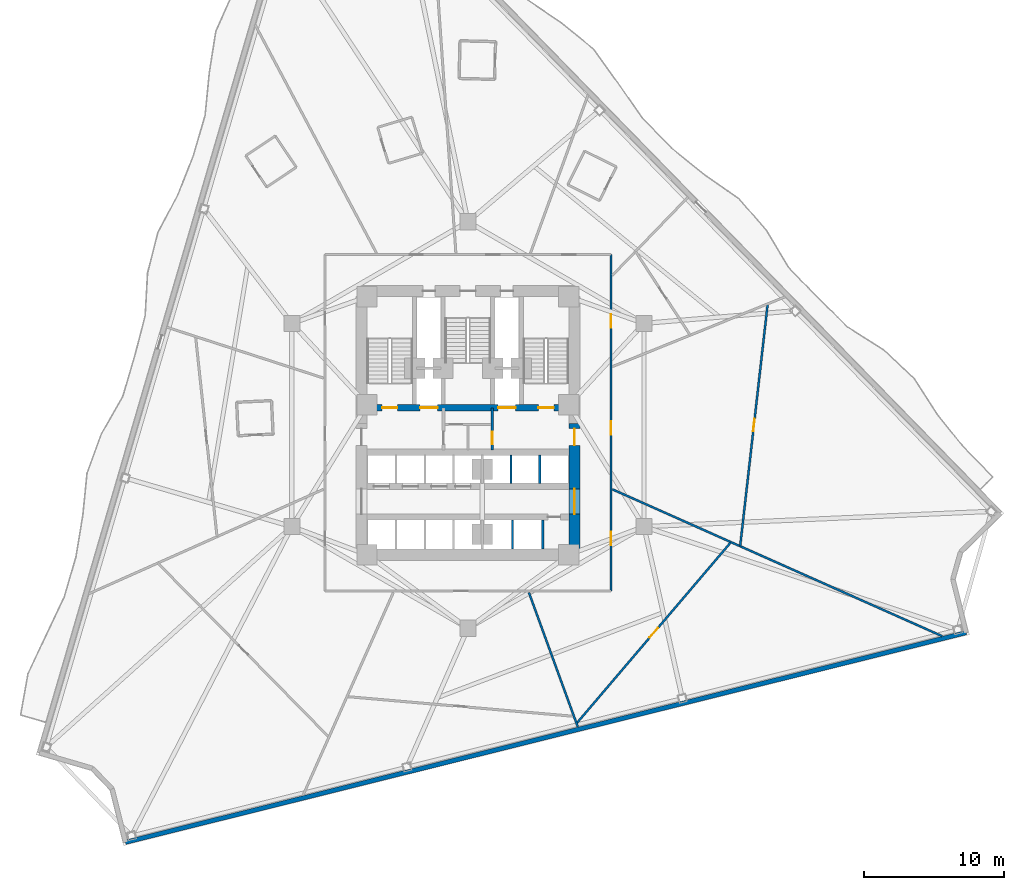
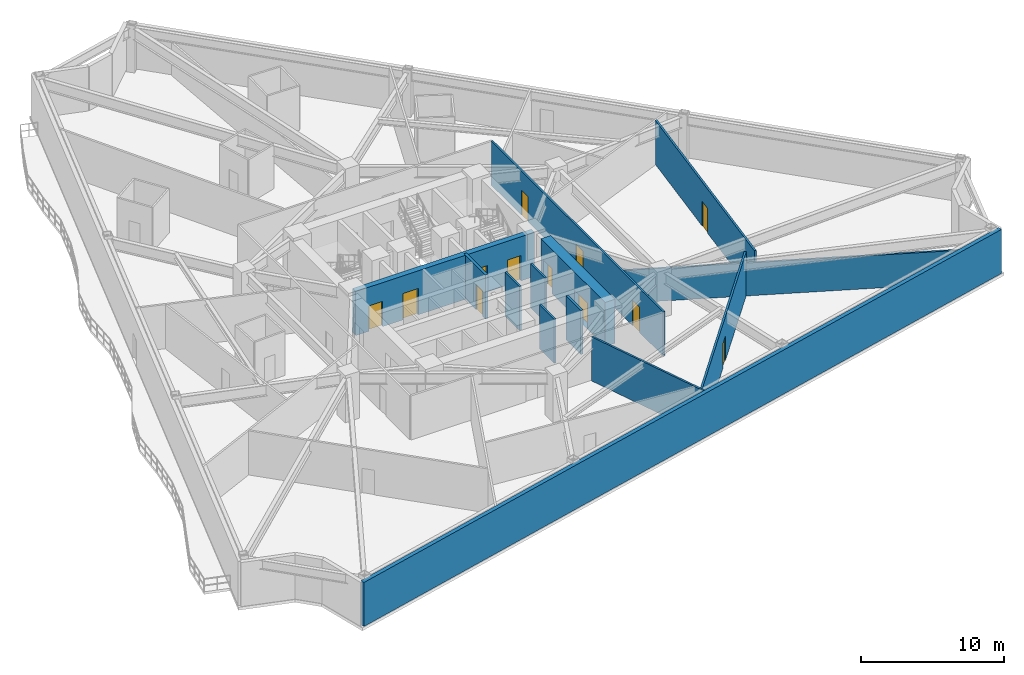
# One storey, part 4 of 9: 13 walls, 12 doors, 12 openings.
"""IFC4 building model written with IfcOpenShell, lengths in metres."""

from ifc_helpers import new_model, si_unit, direction, frame, frame_2d, origin, place, context, subcontext, project, spatial, rectangle, extrude, material, layer, layer_set, type_object, element, fill, save


model = new_model("IFC4")

# Units and contexts
model_context = context("Model", 3, precision=1e-05, world=origin(), true_north=direction((0.0, 1.0)))
body_context = subcontext(model_context, "Body", "Model", "MODEL_VIEW")
ifc_project = project(units=[si_unit("LENGTHUNIT", "METRE"), si_unit("AREAUNIT", "SQUARE_METRE"), si_unit("VOLUMEUNIT", "CUBIC_METRE"), si_unit("PLANEANGLEUNIT", "RADIAN"), si_unit("MASSUNIT", "GRAM", prefix="KILO")], contexts=[model_context])

# Site, building, storey
site_placement = place(None, origin())
site = spatial("IfcSite", under=ifc_project, at=site_placement, CompositionType="ELEMENT")
building_placement = place(site_placement, origin())
building = spatial("IfcBuilding", under=site, at=building_placement, Name="Apsidion Concourse Tower", CompositionType="ELEMENT")
storey_placement = place(building_placement, frame((0.0, 0.0, 103.0)))
storey = spatial("IfcBuildingStorey", under=building, at=storey_placement, Name="L23", CompositionType="ELEMENT", Elevation=103.0)

# Walls
ifc_material_1 = material(Name="Precast concrete C40/50", Category="concrete")
ifc_layer_1 = layer(ifc_material_1, 0.320068359375)
ifc_layer_set_1 = layer_set([ifc_layer_1], Name="Precast concrete C40/50")
wall_type_1 = type_object("IfcWallType", Name="WL-EXT-320", PredefinedType="STANDARD", material=ifc_layer_set_1)
wall_1_placement = place(storey_placement, frame((35.546142578125, -14.818359375, 0.0), z_axis=(0.0, 0.0, 1.0), x_axis=(-0.970295883146, -0.241921266428, 0.0)))
element("IfcWall", 1, at=wall_1_placement, inside=storey, type_object=wall_type_1, Name="L23 Precast Stone Facade Wall 05", PredefinedType="STANDARD", context=body_context, shape_type="SweptSolid", body=[
    extrude(rectangle(XDim=61.810791015625, YDim=0.320068359375, at=frame_2d((30.9052734375, 0.0))), origin(), (0.0, 0.0, 1.0), 3.75),
])
ifc_material_2 = material(Name="Gypsum plasterboard partition")
ifc_layer_2 = layer(ifc_material_2, 0.14990234375)
ifc_layer_set_2 = layer_set([ifc_layer_2], Name="Gypsum plasterboard partition")
wall_type_2 = type_object("IfcWallType", Name="WL-INT-PAR-150", PredefinedType="PARTITIONING", material=ifc_layer_set_2)
for number, where, z_axis, x_axis, name in (
    (2, (3.074951171875, -4.179931640625, 0.0), (0.0, 0.0, 1.0), (0.0, 1.0, 0.0), "L23 Interior Partition WL-L23-B3DIV-1"),
    (3, (5.125, -4.179931640625, 0.0), (0.0, 0.0, 1.0), (0.0, 1.0, 0.0), "L23 Interior Partition WL-L23-B3DIV-2"),
):
    element("IfcWall", number, at=place(storey_placement, frame(where, z_axis=z_axis, x_axis=x_axis)), inside=storey, type_object=wall_type_2, Name=name, PredefinedType="PARTITIONING", context=body_context, shape_type="SweptSolid", body=[
        extrude(rectangle(XDim=2.030029296875, YDim=0.14990234375, at=frame_2d((1.01513671875, 0.0))), origin(), (0.0, 0.0, 1.0), 3.75),
    ])
wall_2_placement = place(storey_placement, frame((3.175048828125, -8.85009765625, 0.0), z_axis=(0.0, 0.0, 1.0), x_axis=(0.0, 1.0, 0.0)))
element("IfcWall", 4, at=wall_2_placement, inside=storey, type_object=wall_type_2, Name="L23 Interior Partition WL-L23-SHDIV-1", PredefinedType="PARTITIONING", context=body_context, shape_type="SweptSolid", body=[
    extrude(rectangle(XDim=2.080078125, YDim=0.14990234375, at=frame_2d((1.0400390625, 0.0))), origin(), (0.0, 0.0, 1.0), 3.75),
])

# Wall, openings, doors
wall_3_placement = place(storey_placement, frame((10.199951171875, 12.14990234375, 0.0), z_axis=(0.0, 0.0, 1.0), x_axis=(0.0, -1.0, 0.0)))
wall_3 = element("IfcWall", 5, at=wall_3_placement, inside=storey, type_object=wall_type_2, Name="L23 Interior Partition WL-L23-CORR-02", PredefinedType="PARTITIONING", context=body_context, shape_type="SweptSolid", body=[
    extrude(rectangle(XDim=24.0, YDim=0.14990234375, at=frame_2d((12.0, 0.0))), origin(), (0.0, 0.0, 1.0), 3.75),
])
opening_1_placement = place(wall_3_placement, frame((19.76416015625, 0.0, 0.0)))
opening_1 = element("IfcOpeningElement", 6, at=opening_1_placement, cuts=wall_3, Name="Opening D-01R", PredefinedType="OPENING", context=body_context, shape_type="SweptSolid", body=[
    extrude(rectangle(XDim=0.949951171875, YDim=2.14990234375, at=frame_2d((0.47509765625, 1.074951171875))), frame((0.0, 0.0849609375, 0.0), z_axis=(0.0, -1.0, 0.0), x_axis=(1.0, 0.0, 0.0)), (0.0, 0.0, 1.0), 0.169921875),
])
opening_2_placement = place(wall_3_placement, frame((11.887451171875, 0.0, 0.0)))
opening_2 = element("IfcOpeningElement", 7, at=opening_2_placement, cuts=wall_3, Name="Opening D-01L", PredefinedType="OPENING", context=body_context, shape_type="SweptSolid", body=[
    extrude(rectangle(XDim=0.949951171875, YDim=2.14990234375, at=frame_2d((0.47509765625, 1.074951171875))), frame((0.0, 0.0849609375, 0.0), z_axis=(0.0, -1.0, 0.0), x_axis=(1.0, 0.0, 0.0)), (0.0, 0.0, 1.0), 0.169921875),
])
opening_3_placement = place(wall_3_placement, frame((4.25048828125, 0.0, 0.0)))
opening_3 = element("IfcOpeningElement", 8, at=opening_3_placement, cuts=wall_3, Name="Opening D-01R", PredefinedType="OPENING", context=body_context, shape_type="SweptSolid", body=[
    extrude(rectangle(XDim=0.949951171875, YDim=2.14990234375, at=frame_2d((0.47509765625, 1.074951171875))), frame((0.0, 0.0849609375, 0.0), z_axis=(0.0, -1.0, 0.0), x_axis=(1.0, 0.0, 0.0)), (0.0, 0.0, 1.0), 0.169921875),
])
ifc_material_3 = material(Name="Brushed stainless steel 316", Category="steel")
door_type_1 = type_object("IfcDoorType", Name="DR-INT-D01L", OperationType="SINGLE_SWING_LEFT", PredefinedType="DOOR", material=ifc_material_3)
door_1_placement = place(opening_2_placement, origin())
door_1 = element("IfcDoor", 9, at=door_1_placement, inside=storey, type_object=door_type_1, Name="L23 Corridor Entry Door 05", OperationType="SINGLE_SWING_LEFT", OverallHeight=2.14990234375, OverallWidth=0.949951171875, PredefinedType="DOOR", context=body_context, shape_type="SweptSolid", body=[
    extrude(rectangle(XDim=0.949951171875, YDim=2.14990234375, at=frame_2d((0.47509765625, 1.074951171875))), frame((0.0, 0.02490234375, 0.0), z_axis=(0.0, -1.0, 0.0), x_axis=(1.0, 0.0, 0.0)), (0.0, 0.0, 1.0), 0.050048828125),
])
fill(opening_2, door_1)
door_type_2 = type_object("IfcDoorType", Name="DR-INT-D01R", OperationType="SINGLE_SWING_RIGHT", PredefinedType="DOOR", material=ifc_material_3)
door_2_placement = place(opening_1_placement, origin())
door_2 = element("IfcDoor", 10, at=door_2_placement, inside=storey, type_object=door_type_2, Name="L23 Corridor Entry Door 04", OperationType="SINGLE_SWING_RIGHT", OverallHeight=2.14990234375, OverallWidth=0.949951171875, PredefinedType="DOOR", context=body_context, shape_type="SweptSolid", body=[
    extrude(rectangle(XDim=0.949951171875, YDim=2.14990234375, at=frame_2d((0.47509765625, 1.074951171875))), frame((0.0, 0.02490234375, 0.0), z_axis=(0.0, -1.0, 0.0), x_axis=(1.0, 0.0, 0.0)), (0.0, 0.0, 1.0), 0.050048828125),
])
fill(opening_1, door_2)
door_3_placement = place(opening_3_placement, origin())
door_3 = element("IfcDoor", 11, at=door_3_placement, inside=storey, type_object=door_type_2, Name="L23 Corridor Entry Door 06", OperationType="SINGLE_SWING_RIGHT", OverallHeight=2.14990234375, OverallWidth=0.949951171875, PredefinedType="DOOR", context=body_context, shape_type="SweptSolid", body=[
    extrude(rectangle(XDim=0.949951171875, YDim=2.14990234375, at=frame_2d((0.47509765625, 1.074951171875))), frame((0.0, 0.02490234375, 0.0), z_axis=(0.0, -1.0, 0.0), x_axis=(1.0, 0.0, 0.0)), (0.0, 0.0, 1.0), 0.050048828125),
])
fill(opening_3, door_3)

# Walls
wall_4_placement = place(storey_placement, frame((4.351318359375, -11.955078125, 0.0), z_axis=(0.0, 0.0, 1.0), x_axis=(0.342010030597, -0.939696301456, 0.0)))
element("IfcWall", 12, at=wall_4_placement, inside=storey, type_object=wall_type_2, Name="L23 Interior Partition WL-L23-RAD-09-1", PredefinedType="PARTITIONING", context=body_context, shape_type="SweptSolid", body=[
    extrude(rectangle(XDim=10.205810546875, YDim=0.14990234375, at=frame_2d((5.10302734375, 0.0))), origin(), (0.0, 0.0, 1.0), 3.75),
])
wall_5_placement = place(storey_placement, frame((10.304931640625, -4.588134765625, 0.0), z_axis=(0.0, 0.0, 1.0), x_axis=(0.913547521207, -0.406732008202, 0.0)))
element("IfcWall", 13, at=wall_5_placement, inside=storey, type_object=wall_type_2, Name="L23 Interior Partition WL-L23-RAD-10-1", PredefinedType="PARTITIONING", context=body_context, shape_type="SweptSolid", body=[
    extrude(rectangle(XDim=25.75732421875, YDim=0.14990234375, at=frame_2d((12.878662109375, 0.0))), origin(), (0.0, 0.0, 1.0), 2.798095703125),
])

# Wall, opening, door
wall_6_placement = place(storey_placement, frame((7.768310546875, -21.269775390625, 0.0), z_axis=(0.0, 0.0, 1.0), x_axis=(0.648490276355, 0.761222938089, 0.0)))
wall_6 = element("IfcWall", 14, at=wall_6_placement, inside=storey, type_object=wall_type_2, Name="L23 Interior Partition WL-L23-CHD-HXS03", PredefinedType="PARTITIONING", context=body_context, shape_type="SweptSolid", body=[
    extrude(rectangle(XDim=16.937744140625, YDim=0.14990234375, at=frame_2d((8.46875, 0.0))), origin(), (0.0, 0.0, 1.0), 3.75),
])
opening_4_placement = place(wall_6_placement, frame((8.018798828125, 0.0, 0.0)))
opening_4 = element("IfcOpeningElement", 15, at=opening_4_placement, cuts=wall_6, Name="Opening D-02L", PredefinedType="OPENING", context=body_context, shape_type="SweptSolid", body=[
    extrude(rectangle(XDim=0.89990234375, YDim=2.10009765625, at=frame_2d((0.449951171875, 1.050048828125))), frame((0.0, 0.0849609375, 0.0), z_axis=(0.0, -1.0, 0.0), x_axis=(1.0, 0.0, 0.0)), (0.0, 0.0, 1.0), 0.169921875),
])
ifc_material_4 = material(Name="Anodised aluminium EN AW-6063 T6", Category="aluminium")
door_type_3 = type_object("IfcDoorType", Name="DR-INT-D02L", OperationType="SINGLE_SWING_LEFT", PredefinedType="DOOR", material=ifc_material_4)
door_4_placement = place(opening_4_placement, origin())
door_4 = element("IfcDoor", 16, at=door_4_placement, inside=storey, type_object=door_type_3, Name="L23 Suite Connecting Door HXS03", OperationType="SINGLE_SWING_LEFT", OverallHeight=2.10009765625, OverallWidth=0.89990234375, PredefinedType="DOOR", context=body_context, shape_type="SweptSolid", body=[
    extrude(rectangle(XDim=0.89990234375, YDim=2.10009765625, at=frame_2d((0.449951171875, 1.050048828125))), frame((0.0, 0.02490234375, 0.0), z_axis=(0.0, -1.0, 0.0), x_axis=(1.0, 0.0, 0.0)), (0.0, 0.0, 1.0), 0.050048828125),
])
fill(opening_4, door_4)

wall_7_placement = place(storey_placement, frame((19.426025390625, -8.62158203125, 0.0), z_axis=(0.0, 0.0, 1.0), x_axis=(0.112844312571, 0.993612681642, 0.0)))
wall_7 = element("IfcWall", 17, at=wall_7_placement, inside=storey, type_object=wall_type_2, Name="L23 Interior Partition WL-L23-CHD-H8G04", PredefinedType="PARTITIONING", context=body_context, shape_type="SweptSolid", body=[
    extrude(rectangle(XDim=17.344970703125, YDim=0.14990234375, at=frame_2d((8.67236328125, 0.0))), origin(), (0.0, 0.0, 1.0), 3.75),
])
opening_5_placement = place(wall_7_placement, frame((8.222412109375, 0.0, 0.0)))
opening_5 = element("IfcOpeningElement", 18, at=opening_5_placement, cuts=wall_7, Name="Opening D-02L", PredefinedType="OPENING", context=body_context, shape_type="SweptSolid", body=[
    extrude(rectangle(XDim=0.89990234375, YDim=2.10009765625, at=frame_2d((0.449951171875, 1.050048828125))), frame((0.0, 0.0849609375, 0.0), z_axis=(0.0, -1.0, 0.0), x_axis=(1.0, 0.0, 0.0)), (0.0, 0.0, 1.0), 0.169921875),
])
door_5_placement = place(opening_5_placement, origin())
door_5 = element("IfcDoor", 19, at=door_5_placement, inside=storey, type_object=door_type_3, Name="L23 Suite Connecting Door H8G04", OperationType="SINGLE_SWING_LEFT", OverallHeight=2.10009765625, OverallWidth=0.89990234375, PredefinedType="DOOR", context=body_context, shape_type="SweptSolid", body=[
    extrude(rectangle(XDim=0.89990234375, YDim=2.10009765625, at=frame_2d((0.449951171875, 1.050048828125))), frame((0.0, 0.02490234375, 0.0), z_axis=(0.0, -1.0, 0.0), x_axis=(1.0, 0.0, 0.0)), (0.0, 0.0, 1.0), 0.050048828125),
])
fill(opening_5, door_5)

# Wall
ifc_layer_3 = layer(ifc_material_2, 0.179931640625)
ifc_layer_set_3 = layer_set([ifc_layer_3], Name="Gypsum plasterboard partition")
wall_type_3 = type_object("IfcWallType", Name="WL-INT-PAR-180", PredefinedType="PARTITIONING", material=ifc_layer_set_3)
wall_8_placement = place(storey_placement, frame((5.324951171875, -8.85009765625, 0.0), z_axis=(0.0, 0.0, 1.0), x_axis=(0.0, 1.0, 0.0)))
element("IfcWall", 20, at=wall_8_placement, inside=storey, type_object=wall_type_3, Name="L23 Interior Partition WL-L23-SHDIV-2", PredefinedType="PARTITIONING", context=body_context, shape_type="SweptSolid", body=[
    extrude(rectangle(XDim=2.080078125, YDim=0.179931640625, at=frame_2d((1.0400390625, 0.0))), origin(), (0.0, 0.0, 1.0), 3.75),
])

# Wall, opening, door
ifc_layer_4 = layer(ifc_material_2, 0.199951171875)
ifc_layer_set_4 = layer_set([ifc_layer_4], Name="Gypsum plasterboard partition")
wall_type_4 = type_object("IfcWallType", Name="WL-INT-PAR-200", PredefinedType="PARTITIONING", material=ifc_layer_set_4)
wall_9_placement = place(storey_placement, frame((1.739990234375, -1.780029296875, 0.0), z_axis=(0.0, 0.0, 1.0), x_axis=(0.0, 1.0, 0.0)))
wall_9 = element("IfcWall", 21, at=wall_9_placement, inside=storey, type_object=wall_type_4, Name="L23 Interior Partition WL-L23-FF2-W", PredefinedType="PARTITIONING", context=body_context, shape_type="SweptSolid", body=[
    extrude(rectangle(XDim=2.97998046875, YDim=0.199951171875, at=frame_2d((1.489990234375, 0.0))), origin(), (0.0, 0.0, 1.0), 3.75),
])
opening_6_placement = place(wall_9_placement, frame((0.419921875, 0.0, 0.0)))
opening_6 = element("IfcOpeningElement", 22, at=opening_6_placement, cuts=wall_9, Name="Opening D-05L", PredefinedType="OPENING", context=body_context, shape_type="SweptSolid", body=[
    extrude(rectangle(XDim=0.8798828125, YDim=2.14990234375, at=frame_2d((0.43994140625, 1.074951171875))), frame((0.0, 0.10986328125, 0.0), z_axis=(0.0, -1.0, 0.0), x_axis=(1.0, 0.0, 0.0)), (0.0, 0.0, 1.0), 0.219970703125),
])
door_type_4 = type_object("IfcDoorType", Name="DR-INT-D05L", OperationType="SINGLE_SWING_LEFT", PredefinedType="DOOR", material=ifc_material_3)
door_6_placement = place(opening_6_placement, origin())
door_6 = element("IfcDoor", 23, at=door_6_placement, inside=storey, type_object=door_type_4, Name="L23 Core First Aid Door", OperationType="SINGLE_SWING_LEFT", OverallHeight=2.14990234375, OverallWidth=0.8798828125, PredefinedType="DOOR", context=body_context, shape_type="SweptSolid", body=[
    extrude(rectangle(XDim=0.8798828125, YDim=2.14990234375, at=frame_2d((0.43994140625, 1.074951171875))), frame((0.0, 0.02490234375, 0.0), z_axis=(0.0, -1.0, 0.0), x_axis=(1.0, 0.0, 0.0)), (0.0, 0.0, 1.0), 0.050048828125),
])
fill(opening_6, door_6)

# Wall, openings, doors
ifc_material_5 = material(Name="Concrete C60/75", Category="concrete")
ifc_layer_5 = layer(ifc_material_5, 0.449951171875)
ifc_layer_set_5 = layer_set([ifc_layer_5], Name="Concrete C60/75")
wall_type_5 = type_object("IfcWallType", Name="WL-SH-450", PredefinedType="SHEAR", material=ifc_layer_set_5)
wall_10_placement = place(storey_placement, frame((-7.199951171875, 1.22509765625, 0.0), z_axis=(0.0, 0.0, 1.0), x_axis=(1.0, 0.0, 0.0)))
wall_10 = element("IfcWall", 24, at=wall_10_placement, inside=storey, type_object=wall_type_5, Name="L23 Central Core Shear Wall M1", PredefinedType="SHEAR", context=body_context, shape_type="SweptSolid", body=[
    extrude(rectangle(XDim=14.39990234375, YDim=0.449951171875, at=frame_2d((7.199951171875, 0.0))), origin(), (0.0, 0.0, 1.0), 3.75),
])
opening_7_placement = place(wall_10_placement, frame((3.794921875, 0.0, 0.0)))
opening_7 = element("IfcOpeningElement", 25, at=opening_7_placement, cuts=wall_10, Name="Opening LD-FF", PredefinedType="OPENING", context=body_context, shape_type="SweptSolid", body=[
    extrude(rectangle(XDim=1.25, YDim=2.25, at=frame_2d((0.625, 1.125))), frame((0.0, 0.23486328125, 0.0), z_axis=(0.0, -1.0, 0.0), x_axis=(1.0, 0.0, 0.0)), (0.0, 0.0, 1.0), 0.469970703125),
])
opening_8_placement = place(wall_10_placement, frame((9.35498046875, 0.0, 0.0)))
opening_8 = element("IfcOpeningElement", 26, at=opening_8_placement, cuts=wall_10, Name="Opening LD-FF", PredefinedType="OPENING", context=body_context, shape_type="SweptSolid", body=[
    extrude(rectangle(XDim=1.25, YDim=2.25, at=frame_2d((0.625, 1.125))), frame((0.0, 0.23486328125, 0.0), z_axis=(0.0, -1.0, 0.0), x_axis=(1.0, 0.0, 0.0)), (0.0, 0.0, 1.0), 0.469970703125),
])
opening_9_placement = place(wall_10_placement, frame((1.074951171875, 0.0, 0.0)))
opening_9 = element("IfcOpeningElement", 27, at=opening_9_placement, cuts=wall_10, Name="Opening D-STL", PredefinedType="OPENING", context=body_context, shape_type="SweptSolid", body=[
    extrude(rectangle(XDim=1.10009765625, YDim=2.14990234375, at=frame_2d((0.550048828125, 1.074951171875))), frame((0.0, 0.23486328125, 0.0), z_axis=(0.0, -1.0, 0.0), x_axis=(1.0, 0.0, 0.0)), (0.0, 0.0, 1.0), 0.469970703125),
])
opening_10_placement = place(wall_10_placement, frame((12.22509765625, 0.0, 0.0)))
opening_10 = element("IfcOpeningElement", 28, at=opening_10_placement, cuts=wall_10, Name="Opening D-STR", PredefinedType="OPENING", context=body_context, shape_type="SweptSolid", body=[
    extrude(rectangle(XDim=1.10009765625, YDim=2.14990234375, at=frame_2d((0.550048828125, 1.074951171875))), frame((0.0, 0.23486328125, 0.0), z_axis=(0.0, -1.0, 0.0), x_axis=(1.0, 0.0, 0.0)), (0.0, 0.0, 1.0), 0.469970703125),
])
door_type_5 = type_object("IfcDoorType", Name="DR-INT-ST1L", OperationType="SINGLE_SWING_LEFT", PredefinedType="DOOR", material=ifc_material_3)
door_7_placement = place(opening_9_placement, origin())
door_7 = element("IfcDoor", 29, at=door_7_placement, inside=storey, type_object=door_type_5, Name="L23 Core Exit Stair ST1 Door", OperationType="SINGLE_SWING_LEFT", OverallHeight=2.14990234375, OverallWidth=1.10009765625, PredefinedType="DOOR", context=body_context, shape_type="SweptSolid", body=[
    extrude(rectangle(XDim=1.10009765625, YDim=2.14990234375, at=frame_2d((0.550048828125, 1.074951171875))), frame((0.0, 0.02490234375, 0.0), z_axis=(0.0, -1.0, 0.0), x_axis=(1.0, 0.0, 0.0)), (0.0, 0.0, 1.0), 0.050048828125),
])
fill(opening_9, door_7)
door_type_6 = type_object("IfcDoorType", Name="DR-INT-ST1R", OperationType="SINGLE_SWING_RIGHT", PredefinedType="DOOR", material=ifc_material_3)
door_8_placement = place(opening_10_placement, origin())
door_8 = element("IfcDoor", 30, at=door_8_placement, inside=storey, type_object=door_type_6, Name="L23 Core Exit Stair ST2 Door", OperationType="SINGLE_SWING_RIGHT", OverallHeight=2.14990234375, OverallWidth=1.10009765625, PredefinedType="DOOR", context=body_context, shape_type="SweptSolid", body=[
    extrude(rectangle(XDim=1.10009765625, YDim=2.14990234375, at=frame_2d((0.550048828125, 1.074951171875))), frame((0.0, 0.02490234375, 0.0), z_axis=(0.0, -1.0, 0.0), x_axis=(1.0, 0.0, 0.0)), (0.0, 0.0, 1.0), 0.050048828125),
])
fill(opening_10, door_8)
door_type_7 = type_object("IfcDoorType", Name="DR-LD-FSAE", OperationType="DOUBLE_DOOR_SLIDING", PredefinedType="DOOR", material=ifc_material_3)
door_9_placement = place(opening_7_placement, origin())
door_9 = element("IfcDoor", 31, at=door_9_placement, inside=storey, type_object=door_type_7, Name="L23 Lift Landing Door FF1", OperationType="DOUBLE_DOOR_SLIDING", OverallHeight=2.25, OverallWidth=1.25, PredefinedType="DOOR", context=body_context, shape_type="SweptSolid", body=[
    extrude(rectangle(XDim=1.25, YDim=2.25, at=frame_2d((0.625, 1.125))), frame((0.0, 0.02490234375, 0.0), z_axis=(0.0, -1.0, 0.0), x_axis=(1.0, 0.0, 0.0)), (0.0, 0.0, 1.0), 0.050048828125),
])
fill(opening_7, door_9)
door_10_placement = place(opening_8_placement, origin())
door_10 = element("IfcDoor", 32, at=door_10_placement, inside=storey, type_object=door_type_7, Name="L23 Lift Landing Door FF2", OperationType="DOUBLE_DOOR_SLIDING", OverallHeight=2.25, OverallWidth=1.25, PredefinedType="DOOR", context=body_context, shape_type="SweptSolid", body=[
    extrude(rectangle(XDim=1.25, YDim=2.25, at=frame_2d((0.625, 1.125))), frame((0.0, 0.02490234375, 0.0), z_axis=(0.0, -1.0, 0.0), x_axis=(1.0, 0.0, 0.0)), (0.0, 0.0, 1.0), 0.050048828125),
])
fill(opening_8, door_10)

ifc_layer_6 = layer(ifc_material_5, 0.800048828125)
ifc_layer_set_6 = layer_set([ifc_layer_6], Name="Concrete C60/75")
wall_type_6 = type_object("IfcWallType", Name="WL-SH-800", PredefinedType="SHEAR", material=ifc_layer_set_6)
wall_11_placement = place(storey_placement, frame((7.60009765625, -8.85009765625, 0.0), z_axis=(0.0, 0.0, 1.0), x_axis=(0.0, 1.0, 0.0)))
wall_11 = element("IfcWall", 33, at=wall_11_placement, inside=storey, type_object=wall_type_6, Name="L23 Central Core Shear Wall ES", PredefinedType="SHEAR", context=body_context, shape_type="SweptSolid", body=[
    extrude(rectangle(XDim=8.9501953125, YDim=0.800048828125, at=frame_2d((4.47509765625, 0.0))), origin(), (0.0, 0.0, 1.0), 3.75),
])
opening_11_placement = place(wall_11_placement, frame((2.489990234375, 0.0, 0.0)))
opening_11 = element("IfcOpeningElement", 34, at=opening_11_placement, cuts=wall_11, Name="Opening D-06D", PredefinedType="OPENING", context=body_context, shape_type="SweptSolid", body=[
    extrude(rectangle(XDim=1.800048828125, YDim=2.199951171875, at=frame_2d((0.89990234375, 1.10009765625))), frame((0.0, 0.41015625, 0.0), z_axis=(0.0, -1.0, 0.0), x_axis=(1.0, 0.0, 0.0)), (0.0, 0.0, 1.0), 0.820068359375),
])
opening_12_placement = place(wall_11_placement, frame((7.39990234375, 0.0, 0.0)))
opening_12 = element("IfcOpeningElement", 35, at=opening_12_placement, cuts=wall_11, Name="Opening D-FFR", PredefinedType="OPENING", context=body_context, shape_type="SweptSolid", body=[
    extrude(rectangle(XDim=1.199951171875, YDim=2.14990234375, at=frame_2d((0.60009765625, 1.074951171875))), frame((0.0, 0.41015625, 0.0), z_axis=(0.0, -1.0, 0.0), x_axis=(1.0, 0.0, 0.0)), (0.0, 0.0, 1.0), 0.820068359375),
])
door_type_8 = type_object("IfcDoorType", Name="DR-INT-D06D", OperationType="DOUBLE_DOOR_SINGLE_SWING", PredefinedType="DOOR", material=ifc_material_3)
door_11_placement = place(opening_11_placement, origin())
door_11 = element("IfcDoor", 36, at=door_11_placement, inside=storey, type_object=door_type_8, Name="L23 Passenger Lift Lobby ES Portal Door", OperationType="DOUBLE_DOOR_SINGLE_SWING", OverallHeight=2.199951171875, OverallWidth=1.800048828125, PredefinedType="DOOR", context=body_context, shape_type="SweptSolid", body=[
    extrude(rectangle(XDim=1.800048828125, YDim=2.199951171875, at=frame_2d((0.89990234375, 1.10009765625))), frame((0.0, 0.02490234375, 0.0), z_axis=(0.0, -1.0, 0.0), x_axis=(1.0, 0.0, 0.0)), (0.0, 0.0, 1.0), 0.050048828125),
])
fill(opening_11, door_11)
door_type_9 = type_object("IfcDoorType", Name="DR-INT-FFR", OperationType="SINGLE_SWING_RIGHT", PredefinedType="DOOR", material=ifc_material_3)
door_12_placement = place(opening_12_placement, origin())
door_12 = element("IfcDoor", 37, at=door_12_placement, inside=storey, type_object=door_type_9, Name="L23 Firefighting Lift Lobby FF2 Door", OperationType="SINGLE_SWING_RIGHT", OverallHeight=2.14990234375, OverallWidth=1.199951171875, PredefinedType="DOOR", context=body_context, shape_type="SweptSolid", body=[
    extrude(rectangle(XDim=1.199951171875, YDim=2.14990234375, at=frame_2d((0.60009765625, 1.074951171875))), frame((0.0, 0.02490234375, 0.0), z_axis=(0.0, -1.0, 0.0), x_axis=(1.0, 0.0, 0.0)), (0.0, 0.0, 1.0), 0.050048828125),
])
fill(opening_12, door_12)

save(model, "model.ifc")
